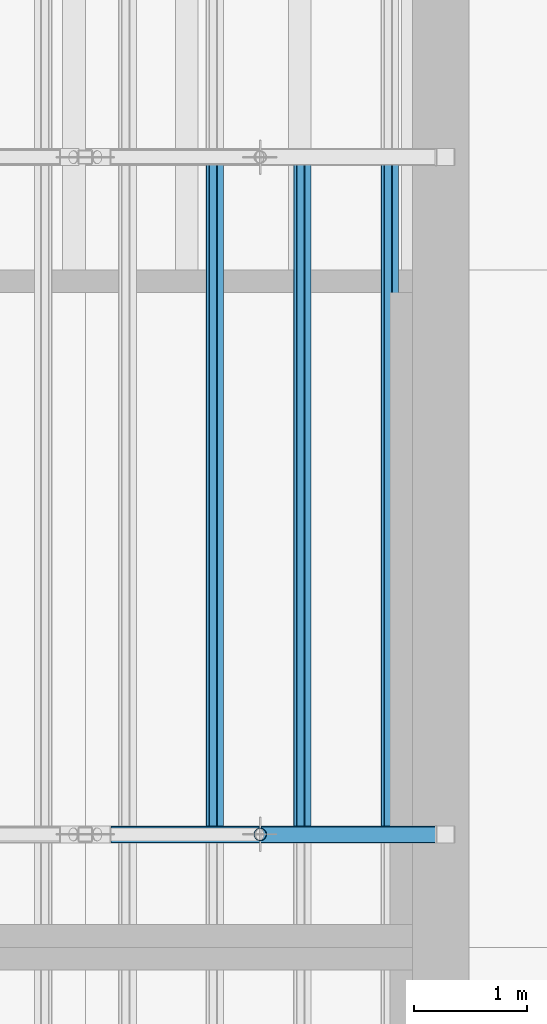
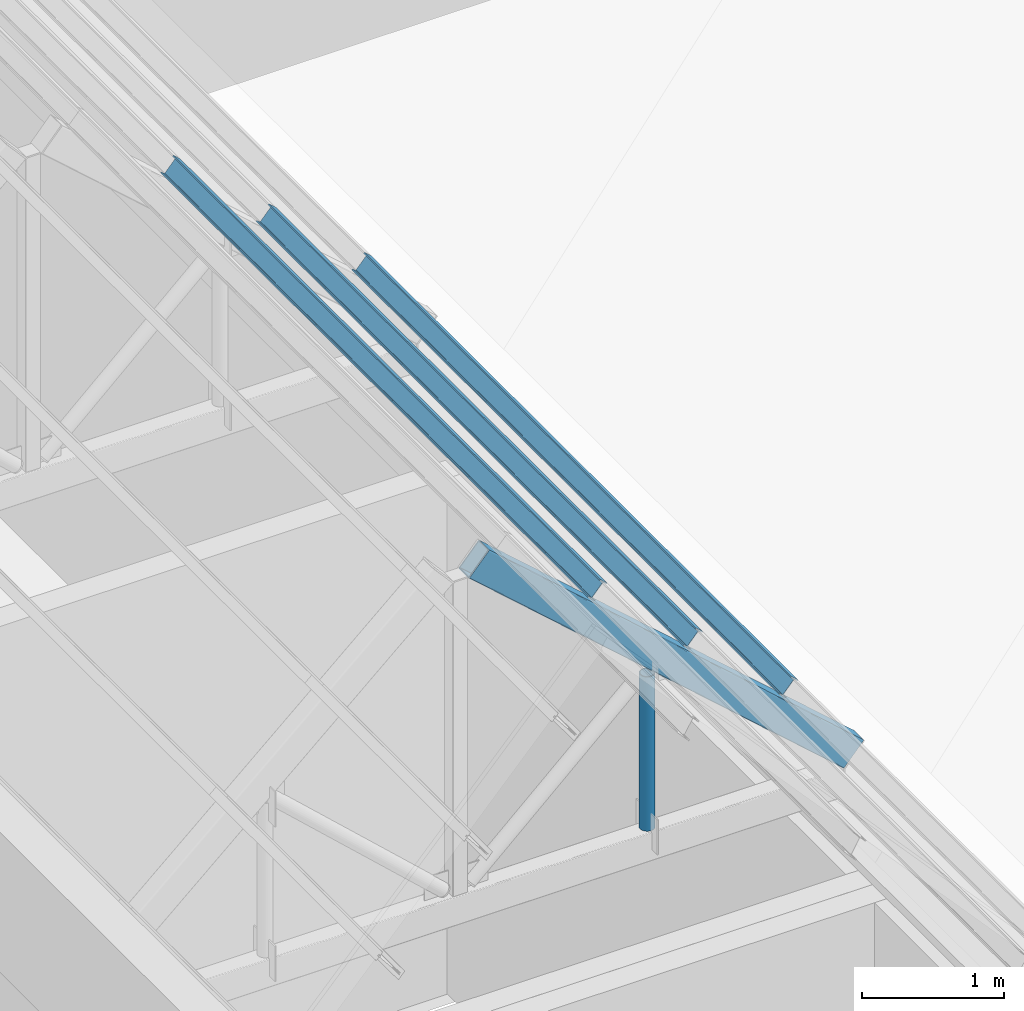
# One storey, part 38 of 118: 5 members.
"""IFC4 building model written with IfcOpenShell, lengths in metres."""

from ifc_helpers import new_model, si_unit, direction, frame, origin, origin_2d, place, context, subcontext, project, spatial, hollow_rectangle, hollow_circle, i_section, extrude, material, material_profile, profile_set, type_object, element, save


model = new_model("IFC4")

# Units and contexts
model_context = context("Model", 3, precision=1e-05, world=origin(), true_north=direction((0.0, 1.0)))
body_context = subcontext(model_context, "Body", "Model", "MODEL_VIEW")
ifc_project = project(units=[si_unit("LENGTHUNIT", "METRE"), si_unit("AREAUNIT", "SQUARE_METRE"), si_unit("VOLUMEUNIT", "CUBIC_METRE"), si_unit("PLANEANGLEUNIT", "RADIAN"), si_unit("MASSUNIT", "GRAM", prefix="KILO")], contexts=[model_context])

# Site, building, storey
site_placement = place(None, origin())
site = spatial("IfcSite", under=ifc_project, at=site_placement, CompositionType="ELEMENT")
building_placement = place(site_placement, origin())
building = spatial("IfcBuilding", under=site, at=building_placement, Name="Saffron Lane Theatres", CompositionType="ELEMENT")
storey_placement = place(building_placement, frame((0.0, 0.0, 16.5)))
storey = spatial("IfcBuildingStorey", under=building, at=storey_placement, Name="L03", CompositionType="ELEMENT", Elevation=16.5)

# Members
ifc_material_1 = material(Name="Steel Grade 350", Category="steel")
ifc_material_profile_1 = material_profile(ifc_material_1, i_section(OverallWidth=0.074951171875, OverallDepth=0.155029296875, WebThickness=0.006103515625, FlangeThickness=0.009521484375, FilletRadius=0.008056640625, at=origin_2d()))
ifc_profile_set_1 = profile_set([ifc_material_profile_1], Name="Steel Grade 350")
member_type_1 = type_object("IfcMemberType", Name="ST-STUDIO PURLIN 150UB18.0", PredefinedType="PURLIN", material=ifc_profile_set_1)
for number, where, z_axis, x_axis, name in (
    (1, (17.79736328125, 67.0, 5.544677734375), (0.0, 1.0, 0.0), (-0.748268687469, 0.0, 0.663395787863), "SB1-U83"),
    (2, (17.022216796875, 67.0, 6.23193359375), (0.0, 1.0, 0.0), (-0.748268687469, 0.0, 0.663395787863), "SB1-U89"),
    (3, (16.247314453125, 67.0, 6.9189453125), (0.0, 1.0, 0.0), (-0.748268687469, 0.0, 0.663395787863), "SB1-U95"),
):
    element("IfcMember", number, at=place(storey_placement, frame(where, z_axis=z_axis, x_axis=x_axis)), inside=storey, type_object=member_type_1, Name=name, PredefinedType="PURLIN", context=body_context, shape_type="SweptSolid", body=[
        extrude(i_section(OverallWidth=0.074951171875, OverallDepth=0.155029296875, WebThickness=0.006103515625, FlangeThickness=0.009521484375, FilletRadius=0.008056640625, at=origin_2d()), origin(), (0.0, 0.0, 1.0), 6.0),
    ])
ifc_material_2 = material(Name="Steel Grade 350", Category="steel")
ifc_material_profile_2 = material_profile(ifc_material_2, hollow_rectangle(XDim=0.14990234375, YDim=0.25, WallThickness=0.009033203125, InnerFilletRadius=0.00439453125, OuterFilletRadius=0.013427734375, at=origin_2d()))
ifc_profile_set_2 = profile_set([ifc_material_profile_2], Name="Steel Grade 350")
member_type_2 = type_object("IfcMemberType", Name="ST-STUDIO TRUSS CHORD 250x150x9 RHS", PredefinedType="CHORD", material=ifc_profile_set_2)
member_1_placement = place(storey_placement, frame((18.282958984375, 67.0, 4.843505859375), z_axis=(-0.748261446236, 0.0, 0.663403955428), x_axis=(0.0, -1.0, 0.0)))
element("IfcMember", 4, at=member_1_placement, inside=storey, type_object=member_type_2, Name="SB1-C19", PredefinedType="CHORD", context=body_context, shape_type="SweptSolid", body=[
    extrude(hollow_rectangle(XDim=0.14990234375, YDim=0.25, WallThickness=0.009033203125, InnerFilletRadius=0.00439453125, OuterFilletRadius=0.013427734375, at=origin_2d()), origin(), (0.0, 0.0, 1.0), 4.0595703125),
])
ifc_material_3 = material(Name="Steel Grade 350", Category="steel")
ifc_material_profile_3 = material_profile(ifc_material_3, hollow_circle(Radius=0.05712890625, WallThickness=0.006103515625, at=origin_2d()))
ifc_profile_set_3 = profile_set([ifc_material_profile_3], Name="Steel Grade 350")
member_type_3 = type_object("IfcMemberType", Name="ST-STUDIO TRUSS WEB 114.3x6.0 CHS", PredefinedType="BRACE", material=ifc_profile_set_3)
member_2_placement = place(storey_placement, frame((16.64990234375, 67.0, 4.75), z_axis=(0.0, 0.0, 1.0), x_axis=(1.0, 0.0, 0.0)))
element("IfcMember", 5, at=member_2_placement, inside=storey, type_object=member_type_3, Name="SB1-W22", PredefinedType="BRACE", context=body_context, shape_type="SweptSolid", body=[
    extrude(hollow_circle(Radius=0.05712890625, WallThickness=0.006103515625, at=origin_2d()), origin(), (0.0, 0.0, 1.0), 1.323486328125),
])

save(model, "model.ifc")
